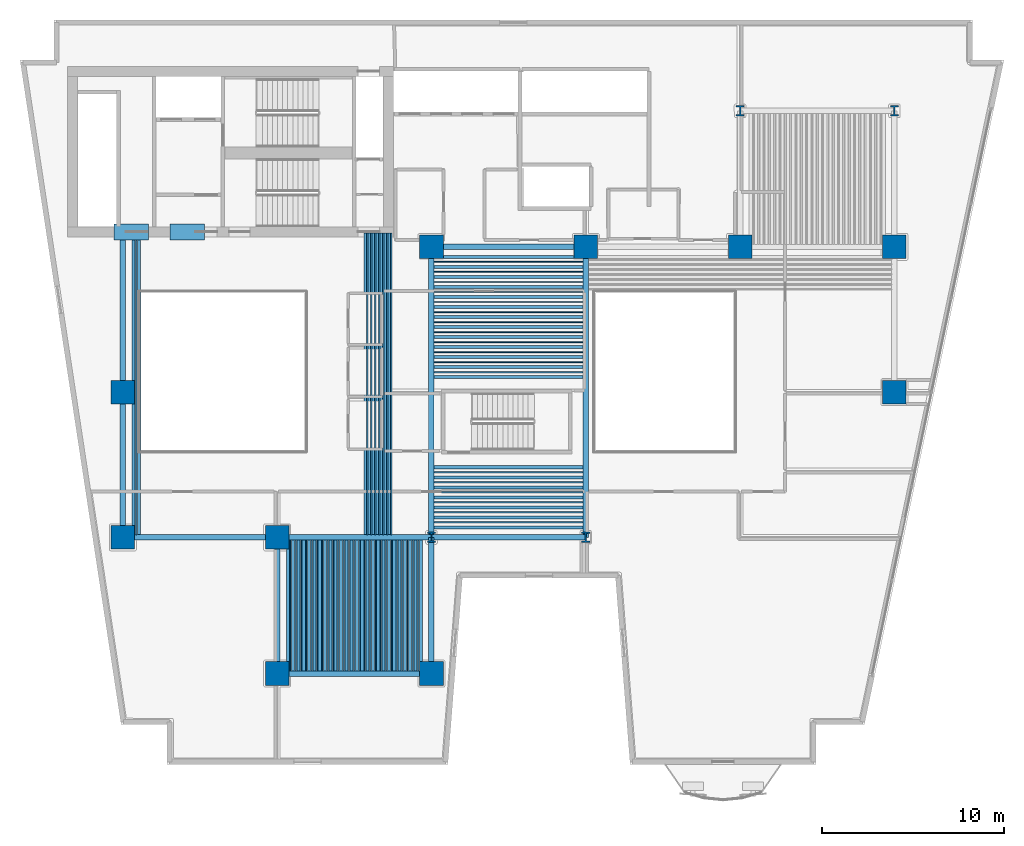
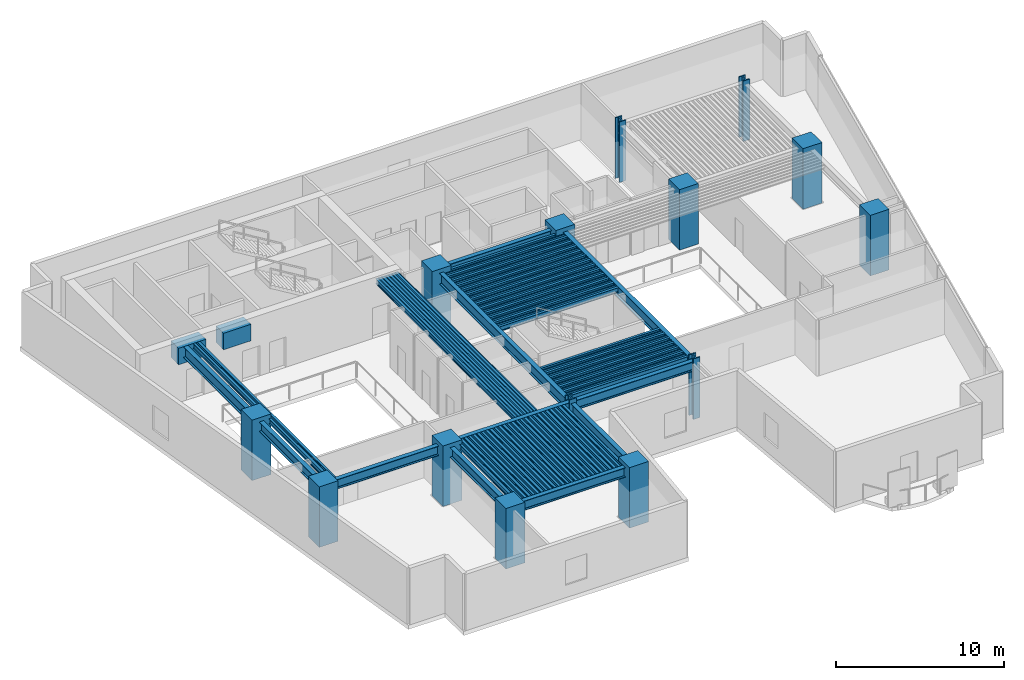
# One storey, part 1 of 12: 119 beams, 14 columns.
"""IFC4 building model written with IfcOpenShell, lengths in metres."""

from ifc_helpers import new_model, si_unit, direction, frame, origin, origin_2d, place, context, subcontext, project, spatial, rectangle, hollow_rectangle, i_section, extrude, material, material_profile, profile_set, type_object, element, save


model = new_model("IFC4")

# Units and contexts
model_context = context("Model", 3, precision=1e-05, world=origin(), true_north=direction((0.0, 1.0)))
body_context = subcontext(model_context, "Body", "Model", "MODEL_VIEW")
ifc_project = project(units=[si_unit("LENGTHUNIT", "METRE"), si_unit("AREAUNIT", "SQUARE_METRE"), si_unit("VOLUMEUNIT", "CUBIC_METRE"), si_unit("PLANEANGLEUNIT", "RADIAN"), si_unit("MASSUNIT", "GRAM", prefix="KILO")], contexts=[model_context])

# Site, building, storey
site_placement = place(None, origin())
site = spatial("IfcSite", under=ifc_project, at=site_placement, CompositionType="ELEMENT")
building_placement = place(site_placement, origin())
building = spatial("IfcBuilding", under=site, at=building_placement, Name="Caeloran Harvest Quay", CompositionType="ELEMENT")
storey_placement = place(building_placement, frame((0.0, 0.0, 35.800048828125)))
storey = spatial("IfcBuildingStorey", under=building, at=storey_placement, Name="L08", CompositionType="ELEMENT", Elevation=35.800048828125)

# Columns
ifc_material_1 = material(Name="Concrete C80/95", Category="concrete")
ifc_material_profile_1 = material_profile(ifc_material_1, rectangle(XDim=1.300048828125, YDim=1.300048828125, at=origin_2d()), Name="RC 1300x1300")
ifc_profile_set_1 = profile_set([ifc_material_profile_1], Name="Concrete C80/95")
column_type_1 = type_object("IfcColumnType", Name="COL-MC-2-RC_1300x1300", PredefinedType="COLUMN", material=ifc_profile_set_1)
for number, where, z_axis, x_axis, name in (
    (1, (8.5, 15.0, 0.0), (0.0, 0.0, 1.0), (1.0, 0.0, 0.0), "L08 Structural Column (8.5, 15.0)"),
    (2, (8.5, 23.0, 0.0), (0.0, 0.0, 1.0), (1.0, 0.0, 0.0), "L08 Structural Column (8.5, 23.0)"),
    (3, (17.0, 7.5, 0.0), (0.0, 0.0, 1.0), (1.0, 0.0, 0.0), "L08 Structural Column (17.0, 7.5)"),
    (4, (17.0, 15.0, 0.0), (0.0, 0.0, 1.0), (1.0, 0.0, 0.0), "L08 Structural Column (17.0, 15.0)"),
    (5, (25.5, 7.5, 0.0), (0.0, 0.0, 1.0), (1.0, 0.0, 0.0), "L08 Structural Column (25.5, 7.5)"),
    (6, (25.5, 31.0, 0.0), (0.0, 0.0, 1.0), (1.0, 0.0, 0.0), "L08 Structural Column (25.5, 31.0)"),
    (7, (34.0, 31.0, 0.0), (0.0, 0.0, 1.0), (1.0, 0.0, 0.0), "L08 Structural Column (34.0, 31.0)"),
    (8, (42.5, 31.0, 0.0), (0.0, 0.0, 1.0), (1.0, 0.0, 0.0), "L08 Structural Column (42.5, 31.0)"),
    (9, (51.0, 23.0, 0.0), (0.0, 0.0, 1.0), (1.0, 0.0, 0.0), "L08 Structural Column (51.0, 23.0)"),
    (10, (51.0, 31.0, 0.0), (0.0, 0.0, 1.0), (1.0, 0.0, 0.0), "L08 Structural Column (51.0, 31.0)"),
):
    element("IfcColumn", number, at=place(storey_placement, frame(where, z_axis=z_axis, x_axis=x_axis)), inside=storey, type_object=column_type_1, Name=name, PredefinedType="COLUMN", context=body_context, shape_type="SweptSolid", body=[
        extrude(rectangle(XDim=1.300048828125, YDim=1.300048828125, at=origin_2d()), origin(), (0.0, 0.0, 1.0), 4.39990234375),
    ])
ifc_material_2 = material(Name="Steel HISTAR 460", Category="steel")
ifc_material_profile_2 = material_profile(ifc_material_2, i_section(OverallWidth=0.4541015625, OverallDepth=0.569091796875, WebThickness=0.077880859375, FlangeThickness=0.080078125, FilletRadius=0.014892578125, at=origin_2d()), Name="HD 400x1086")
ifc_profile_set_2 = profile_set([ifc_material_profile_2], Name="Steel HISTAR 460")
column_type_2 = type_object("IfcColumnType", Name="COL-SC-1-HD_400x1086", PredefinedType="COLUMN", material=ifc_profile_set_2)
for number, where, z_axis, x_axis, name in (
    (11, (25.5, 15.0, 0.0), (0.0, 0.0, 1.0), (1.0, 0.0, 0.0), "L08 Structural Column (25.5, 15.0)"),
    (12, (34.0, 15.0, 0.0), (0.0, 0.0, 1.0), (1.0, 0.0, 0.0), "L08 Structural Column (34.0, 15.0)"),
    (13, (42.5, 38.5, 0.0), (0.0, 0.0, 1.0), (1.0, 0.0, 0.0), "L08 Structural Column (42.5, 38.5)"),
    (14, (51.0, 38.5, 0.0), (0.0, 0.0, 1.0), (1.0, 0.0, 0.0), "L08 Structural Column (51.0, 38.5)"),
):
    element("IfcColumn", number, at=place(storey_placement, frame(where, z_axis=z_axis, x_axis=x_axis)), inside=storey, type_object=column_type_2, Name=name, PredefinedType="COLUMN", context=body_context, shape_type="SweptSolid", body=[
        extrude(i_section(OverallWidth=0.4541015625, OverallDepth=0.569091796875, WebThickness=0.077880859375, FlangeThickness=0.080078125, FilletRadius=0.014892578125, at=origin_2d()), origin(), (0.0, 0.0, 1.0), 4.39990234375),
    ])

# Beams
ifc_material_profile_3 = material_profile(ifc_material_1, rectangle(XDim=0.89990234375, YDim=1.199951171875, at=origin_2d()), Name="RC 900x1200")
ifc_profile_set_3 = profile_set([ifc_material_profile_3], Name="Concrete C80/95")
beam_type_1 = type_object("IfcBeamType", Name="BM-CB-1-RC_900x1200", PredefinedType="LINTEL", material=ifc_profile_set_3)
for number, where, z_axis, x_axis, name in (
    (15, (8.0, 31.824951171875, 3.5), (1.0, 0.0, 0.0), (0.0, 1.0, 0.0), "L08 Core Coupling Beam 1"),
    (16, (11.10009765625, 31.824951171875, 3.5), (1.0, 0.0, 0.0), (0.0, 1.0, 0.0), "L08 Core Coupling Beam 2"),
):
    element("IfcBeam", number, at=place(storey_placement, frame(where, z_axis=z_axis, x_axis=x_axis)), inside=storey, type_object=beam_type_1, Name=name, PredefinedType="LINTEL", context=body_context, shape_type="SweptSolid", body=[
        extrude(rectangle(XDim=0.89990234375, YDim=1.199951171875, at=origin_2d()), origin(), (0.0, 0.0, 1.0), 1.89990234375),
    ])
ifc_material_3 = material(Name="Steel S355J2", Category="steel")
ifc_material_profile_4 = material_profile(ifc_material_3, i_section(OverallWidth=0.300048828125, OverallDepth=0.800048828125, WebThickness=0.017578125, FlangeThickness=0.032958984375, FilletRadius=0.030029296875, at=origin_2d()), Name="HE 800 B")
ifc_profile_set_4 = profile_set([ifc_material_profile_4], Name="Steel S355J2")
beam_type_2 = type_object("IfcBeamType", Name="BM-PG-1-HE_800_B", PredefinedType="BEAM", material=ifc_profile_set_4)
beam_1_placement = place(storey_placement, frame((8.5, 23.0, 3.699951171875), z_axis=(0.0, 1.0, 0.0), x_axis=(-1.0, 0.0, 0.0)))
element("IfcBeam", 17, at=beam_1_placement, inside=storey, type_object=beam_type_2, Name="L08 Core South Tie Girder X=8.5", PredefinedType="BEAM", context=body_context, shape_type="SweptSolid", body=[
    extrude(i_section(OverallWidth=0.300048828125, OverallDepth=0.800048828125, WebThickness=0.017578125, FlangeThickness=0.032958984375, FilletRadius=0.030029296875, at=origin_2d()), origin(), (0.0, 0.0, 1.0), 8.77490234375),
])
for number, where, z_axis, x_axis, name in (
    (18, (25.5, 15.0, 3.699951171875), (0.0, 1.0, 0.0), (-1.0, 0.0, 0.0), "L08 Primary North-South Girder X=25.5"),
    (19, (34.0, 15.0, 3.699951171875), (0.0, 1.0, 0.0), (-1.0, 0.0, 0.0), "L08 Primary North-South Girder X=34.0"),
):
    element("IfcBeam", number, at=place(storey_placement, frame(where, z_axis=z_axis, x_axis=x_axis)), inside=storey, type_object=beam_type_2, Name=name, PredefinedType="BEAM", context=body_context, shape_type="SweptSolid", body=[
        extrude(i_section(OverallWidth=0.300048828125, OverallDepth=0.800048828125, WebThickness=0.017578125, FlangeThickness=0.032958984375, FilletRadius=0.030029296875, at=origin_2d()), origin(), (0.0, 0.0, 1.0), 16.0),
    ])
ifc_material_profile_5 = material_profile(ifc_material_3, i_section(OverallWidth=0.300048828125, OverallDepth=0.699951171875, WebThickness=0.01708984375, FlangeThickness=0.031982421875, FilletRadius=0.027099609375, at=origin_2d()), Name="HE 700 B")
ifc_profile_set_5 = profile_set([ifc_material_profile_5], Name="Steel S355J2")
beam_type_3 = type_object("IfcBeamType", Name="BM-PG-2-HE_700_B", PredefinedType="BEAM", material=ifc_profile_set_5)
for number, where, z_axis, x_axis, name in (
    (20, (17.0, 7.5, 3.75), (1.0, 0.0, 0.0), (0.0, 1.0, 0.0), "L08 Primary East-West Girder Y=7.5"),
    (21, (8.5, 15.0, 3.75), (1.0, 0.0, 0.0), (0.0, 1.0, 0.0), "L08 Primary East-West Girder Y=15.0"),
    (22, (17.0, 15.0, 3.75), (1.0, 0.0, 0.0), (0.0, 1.0, 0.0), "L08 Primary East-West Girder Y=15.0"),
    (23, (25.5, 15.0, 3.75), (1.0, 0.0, 0.0), (0.0, 1.0, 0.0), "L08 Primary East-West Girder Y=15.0"),
    (24, (25.5, 31.0, 3.75), (1.0, 0.0, 0.0), (0.0, 1.0, 0.0), "L08 Primary East-West Girder Y=31.0"),
):
    element("IfcBeam", number, at=place(storey_placement, frame(where, z_axis=z_axis, x_axis=x_axis)), inside=storey, type_object=beam_type_3, Name=name, PredefinedType="BEAM", context=body_context, shape_type="SweptSolid", body=[
        extrude(i_section(OverallWidth=0.300048828125, OverallDepth=0.699951171875, WebThickness=0.01708984375, FlangeThickness=0.031982421875, FilletRadius=0.027099609375, at=origin_2d()), origin(), (0.0, 0.0, 1.0), 8.5),
    ])
beam_2_placement = place(storey_placement, frame((8.5, 15.0, 3.75), z_axis=(0.0, 1.0, 0.0), x_axis=(-1.0, 0.0, 0.0)))
element("IfcBeam", 25, at=beam_2_placement, inside=storey, type_object=beam_type_3, Name="L08 Primary North-South Girder X=8.5", PredefinedType="BEAM", context=body_context, shape_type="SweptSolid", body=[
    extrude(i_section(OverallWidth=0.300048828125, OverallDepth=0.699951171875, WebThickness=0.01708984375, FlangeThickness=0.031982421875, FilletRadius=0.027099609375, at=origin_2d()), origin(), (0.0, 0.0, 1.0), 8.0),
])
for number, where, z_axis, x_axis, name in (
    (26, (17.0, 7.5, 3.75), (0.0, 1.0, 0.0), (-1.0, 0.0, 0.0), "L08 Primary North-South Girder X=17.0"),
    (27, (25.5, 7.5, 3.75), (0.0, 1.0, 0.0), (-1.0, 0.0, 0.0), "L08 Primary North-South Girder X=25.5"),
):
    element("IfcBeam", number, at=place(storey_placement, frame(where, z_axis=z_axis, x_axis=x_axis)), inside=storey, type_object=beam_type_3, Name=name, PredefinedType="BEAM", context=body_context, shape_type="SweptSolid", body=[
        extrude(i_section(OverallWidth=0.300048828125, OverallDepth=0.699951171875, WebThickness=0.01708984375, FlangeThickness=0.031982421875, FilletRadius=0.027099609375, at=origin_2d()), origin(), (0.0, 0.0, 1.0), 7.5),
    ])
ifc_material_profile_6 = material_profile(ifc_material_3, i_section(OverallWidth=0.169921875, OverallDepth=0.360107421875, WebThickness=0.008056640625, FlangeThickness=0.0126953125, FilletRadius=0.01806640625, at=origin_2d()), Name="IPE 360")
ifc_profile_set_6 = profile_set([ifc_material_profile_6], Name="Steel S355J2")
beam_type_4 = type_object("IfcBeamType", Name="BM-SB-5-IPE_360", PredefinedType="JOIST", material=ifc_profile_set_6)
for number, where, z_axis, x_axis, name in (
    (28, (17.586181640625, 7.64501953125, 3.919921875), (0.0, 1.0, 0.0), (-1.0, 0.0, 0.0), "L08 Secondary Composite Joist"),
    (29, (17.87939453125, 7.64501953125, 3.919921875), (0.0, 1.0, 0.0), (-1.0, 0.0, 0.0), "L08 Secondary Composite Joist"),
    (30, (18.17236328125, 7.64501953125, 3.919921875), (0.0, 1.0, 0.0), (-1.0, 0.0, 0.0), "L08 Secondary Composite Joist"),
    (31, (18.465576171875, 7.64501953125, 3.919921875), (0.0, 1.0, 0.0), (-1.0, 0.0, 0.0), "L08 Secondary Composite Joist"),
    (32, (18.758544921875, 7.64501953125, 3.919921875), (0.0, 1.0, 0.0), (-1.0, 0.0, 0.0), "L08 Secondary Composite Joist"),
    (33, (19.0517578125, 7.64501953125, 3.919921875), (0.0, 1.0, 0.0), (-1.0, 0.0, 0.0), "L08 Secondary Composite Joist"),
    (34, (19.3447265625, 7.64501953125, 3.919921875), (0.0, 1.0, 0.0), (-1.0, 0.0, 0.0), "L08 Secondary Composite Joist"),
    (35, (19.637939453125, 7.64501953125, 3.919921875), (0.0, 1.0, 0.0), (-1.0, 0.0, 0.0), "L08 Secondary Composite Joist"),
    (36, (19.930908203125, 7.64501953125, 3.919921875), (0.0, 1.0, 0.0), (-1.0, 0.0, 0.0), "L08 Secondary Composite Joist"),
    (37, (20.22412109375, 7.64501953125, 3.919921875), (0.0, 1.0, 0.0), (-1.0, 0.0, 0.0), "L08 Secondary Composite Joist"),
    (38, (20.51708984375, 7.64501953125, 3.919921875), (0.0, 1.0, 0.0), (-1.0, 0.0, 0.0), "L08 Secondary Composite Joist"),
    (39, (20.810302734375, 7.64501953125, 3.919921875), (0.0, 1.0, 0.0), (-1.0, 0.0, 0.0), "L08 Secondary Composite Joist"),
    (40, (21.103515625, 7.64501953125, 3.919921875), (0.0, 1.0, 0.0), (-1.0, 0.0, 0.0), "L08 Secondary Composite Joist"),
    (41, (21.396484375, 7.64501953125, 3.919921875), (0.0, 1.0, 0.0), (-1.0, 0.0, 0.0), "L08 Secondary Composite Joist"),
    (42, (21.689697265625, 7.64501953125, 3.919921875), (0.0, 1.0, 0.0), (-1.0, 0.0, 0.0), "L08 Secondary Composite Joist"),
    (43, (21.98291015625, 7.64501953125, 3.919921875), (0.0, 1.0, 0.0), (-1.0, 0.0, 0.0), "L08 Secondary Composite Joist"),
    (44, (22.27587890625, 7.64501953125, 3.919921875), (0.0, 1.0, 0.0), (-1.0, 0.0, 0.0), "L08 Secondary Composite Joist"),
    (45, (22.569091796875, 7.64501953125, 3.919921875), (0.0, 1.0, 0.0), (-1.0, 0.0, 0.0), "L08 Secondary Composite Joist"),
    (46, (22.862060546875, 7.64501953125, 3.919921875), (0.0, 1.0, 0.0), (-1.0, 0.0, 0.0), "L08 Secondary Composite Joist"),
    (47, (23.1552734375, 7.64501953125, 3.919921875), (0.0, 1.0, 0.0), (-1.0, 0.0, 0.0), "L08 Secondary Composite Joist"),
    (48, (23.4482421875, 7.64501953125, 3.919921875), (0.0, 1.0, 0.0), (-1.0, 0.0, 0.0), "L08 Secondary Composite Joist"),
    (49, (23.741455078125, 7.64501953125, 3.919921875), (0.0, 1.0, 0.0), (-1.0, 0.0, 0.0), "L08 Secondary Composite Joist"),
    (50, (24.034423828125, 7.64501953125, 3.919921875), (0.0, 1.0, 0.0), (-1.0, 0.0, 0.0), "L08 Secondary Composite Joist"),
    (51, (24.32763671875, 7.64501953125, 3.919921875), (0.0, 1.0, 0.0), (-1.0, 0.0, 0.0), "L08 Secondary Composite Joist"),
    (52, (24.62060546875, 7.64501953125, 3.919921875), (0.0, 1.0, 0.0), (-1.0, 0.0, 0.0), "L08 Secondary Composite Joist"),
    (53, (24.913818359375, 7.64501953125, 3.919921875), (0.0, 1.0, 0.0), (-1.0, 0.0, 0.0), "L08 Secondary Composite Joist"),
):
    element("IfcBeam", number, at=place(storey_placement, frame(where, z_axis=z_axis, x_axis=x_axis)), inside=storey, type_object=beam_type_4, Name=name, PredefinedType="JOIST", context=body_context, shape_type="SweptSolid", body=[
        extrude(i_section(OverallWidth=0.169921875, OverallDepth=0.360107421875, WebThickness=0.008056640625, FlangeThickness=0.0126953125, FilletRadius=0.01806640625, at=origin_2d()), origin(), (0.0, 0.0, 1.0), 7.2099609375),
    ])
for number, where, z_axis, x_axis, name in (
    (54, (9.086181640625, 15.14501953125, 3.919921875), (0.0, 1.0, 0.0), (-1.0, 0.0, 0.0), "L08 Secondary Composite Joist"),
    (55, (9.37939453125, 15.14501953125, 3.919921875), (0.0, 1.0, 0.0), (-1.0, 0.0, 0.0), "L08 Secondary Composite Joist"),
    (56, (21.855224609375, 15.14501953125, 3.919921875), (0.0, 1.0, 0.0), (-1.0, 0.0, 0.0), "L08 Secondary Composite Joist"),
    (57, (22.075927734375, 15.14501953125, 3.919921875), (0.0, 1.0, 0.0), (-1.0, 0.0, 0.0), "L08 Secondary Composite Joist"),
    (58, (22.296630859375, 15.14501953125, 3.919921875), (0.0, 1.0, 0.0), (-1.0, 0.0, 0.0), "L08 Secondary Composite Joist"),
    (59, (22.51708984375, 15.14501953125, 3.919921875), (0.0, 1.0, 0.0), (-1.0, 0.0, 0.0), "L08 Secondary Composite Joist"),
    (60, (22.73779296875, 15.14501953125, 3.919921875), (0.0, 1.0, 0.0), (-1.0, 0.0, 0.0), "L08 Secondary Composite Joist"),
    (61, (22.95849609375, 15.14501953125, 3.919921875), (0.0, 1.0, 0.0), (-1.0, 0.0, 0.0), "L08 Secondary Composite Joist"),
    (62, (23.17919921875, 15.14501953125, 3.919921875), (0.0, 1.0, 0.0), (-1.0, 0.0, 0.0), "L08 Secondary Composite Joist"),
):
    element("IfcBeam", number, at=place(storey_placement, frame(where, z_axis=z_axis, x_axis=x_axis)), inside=storey, type_object=beam_type_4, Name=name, PredefinedType="JOIST", context=body_context, shape_type="SweptSolid", body=[
        extrude(i_section(OverallWidth=0.169921875, OverallDepth=0.360107421875, WebThickness=0.008056640625, FlangeThickness=0.0126953125, FilletRadius=0.01806640625, at=origin_2d()), origin(), (0.0, 0.0, 1.0), 16.6298828125),
    ])
for number, where, z_axis, x_axis, name in (
    (63, (25.64501953125, 15.5517578125, 3.919921875), (1.0, 0.0, 0.0), (0.0, 1.0, 0.0), "L08 Secondary East-West Composite Joist"),
    (64, (25.64501953125, 16.103515625, 3.919921875), (1.0, 0.0, 0.0), (0.0, 1.0, 0.0), "L08 Secondary East-West Composite Joist"),
    (65, (25.64501953125, 16.6552734375, 3.919921875), (1.0, 0.0, 0.0), (0.0, 1.0, 0.0), "L08 Secondary East-West Composite Joist"),
    (66, (25.64501953125, 17.206787109375, 3.919921875), (1.0, 0.0, 0.0), (0.0, 1.0, 0.0), "L08 Secondary East-West Composite Joist"),
    (67, (25.64501953125, 17.758544921875, 3.919921875), (1.0, 0.0, 0.0), (0.0, 1.0, 0.0), "L08 Secondary East-West Composite Joist"),
    (68, (25.64501953125, 18.310302734375, 3.919921875), (1.0, 0.0, 0.0), (0.0, 1.0, 0.0), "L08 Secondary East-West Composite Joist"),
    (69, (25.64501953125, 18.862060546875, 3.919921875), (1.0, 0.0, 0.0), (0.0, 1.0, 0.0), "L08 Secondary East-West Composite Joist"),
    (70, (25.64501953125, 23.82763671875, 3.919921875), (1.0, 0.0, 0.0), (0.0, 1.0, 0.0), "L08 Secondary East-West Composite Joist"),
    (71, (25.64501953125, 24.37939453125, 3.919921875), (1.0, 0.0, 0.0), (0.0, 1.0, 0.0), "L08 Secondary East-West Composite Joist"),
    (72, (25.64501953125, 24.930908203125, 3.919921875), (1.0, 0.0, 0.0), (0.0, 1.0, 0.0), "L08 Secondary East-West Composite Joist"),
    (73, (25.64501953125, 25.48291015625, 3.919921875), (1.0, 0.0, 0.0), (0.0, 1.0, 0.0), "L08 Secondary East-West Composite Joist"),
    (74, (25.64501953125, 26.034423828125, 3.919921875), (1.0, 0.0, 0.0), (0.0, 1.0, 0.0), "L08 Secondary East-West Composite Joist"),
    (75, (25.64501953125, 26.586181640625, 3.919921875), (1.0, 0.0, 0.0), (0.0, 1.0, 0.0), "L08 Secondary East-West Composite Joist"),
    (76, (25.64501953125, 27.137939453125, 3.919921875), (1.0, 0.0, 0.0), (0.0, 1.0, 0.0), "L08 Secondary East-West Composite Joist"),
    (77, (25.64501953125, 27.689697265625, 3.919921875), (1.0, 0.0, 0.0), (0.0, 1.0, 0.0), "L08 Secondary East-West Composite Joist"),
    (78, (25.64501953125, 28.241455078125, 3.919921875), (1.0, 0.0, 0.0), (0.0, 1.0, 0.0), "L08 Secondary East-West Composite Joist"),
    (79, (25.64501953125, 28.793212890625, 3.919921875), (1.0, 0.0, 0.0), (0.0, 1.0, 0.0), "L08 Secondary East-West Composite Joist"),
    (80, (25.64501953125, 29.3447265625, 3.919921875), (1.0, 0.0, 0.0), (0.0, 1.0, 0.0), "L08 Secondary East-West Composite Joist"),
    (81, (25.64501953125, 29.896484375, 3.919921875), (1.0, 0.0, 0.0), (0.0, 1.0, 0.0), "L08 Secondary East-West Composite Joist"),
    (82, (25.64501953125, 30.4482421875, 3.919921875), (1.0, 0.0, 0.0), (0.0, 1.0, 0.0), "L08 Secondary East-West Composite Joist"),
):
    element("IfcBeam", number, at=place(storey_placement, frame(where, z_axis=z_axis, x_axis=x_axis)), inside=storey, type_object=beam_type_4, Name=name, PredefinedType="JOIST", context=body_context, shape_type="SweptSolid", body=[
        extrude(i_section(OverallWidth=0.169921875, OverallDepth=0.360107421875, WebThickness=0.008056640625, FlangeThickness=0.0126953125, FilletRadius=0.01806640625, at=origin_2d()), origin(), (0.0, 0.0, 1.0), 8.2099609375),
    ])
ifc_material_profile_7 = material_profile(ifc_material_3, hollow_rectangle(XDim=0.080078125, YDim=0.199951171875, WallThickness=0.006103515625, InnerFilletRadius=0.006103515625, OuterFilletRadius=0.009033203125, at=origin_2d()), Name="RHS 200x80x6")
ifc_profile_set_7 = profile_set([ifc_material_profile_7], Name="Steel S355J2")
beam_type_5 = type_object("IfcBeamType", Name="BM-SB-7-RHS_200x80x6", PredefinedType="JOIST", material=ifc_profile_set_7)
for number, where, z_axis, x_axis, name in (
    (83, (17.73291015625, 7.64501953125, 4.0), (0.0, 1.0, 0.0), (-1.0, 0.0, 0.0), "L08 Secondary Composite Joist"),
    (84, (18.02587890625, 7.64501953125, 4.0), (0.0, 1.0, 0.0), (-1.0, 0.0, 0.0), "L08 Secondary Composite Joist"),
    (85, (18.319091796875, 7.64501953125, 4.0), (0.0, 1.0, 0.0), (-1.0, 0.0, 0.0), "L08 Secondary Composite Joist"),
    (86, (18.612060546875, 7.64501953125, 4.0), (0.0, 1.0, 0.0), (-1.0, 0.0, 0.0), "L08 Secondary Composite Joist"),
    (87, (18.9052734375, 7.64501953125, 4.0), (0.0, 1.0, 0.0), (-1.0, 0.0, 0.0), "L08 Secondary Composite Joist"),
    (88, (19.1982421875, 7.64501953125, 4.0), (0.0, 1.0, 0.0), (-1.0, 0.0, 0.0), "L08 Secondary Composite Joist"),
    (89, (19.491455078125, 7.64501953125, 4.0), (0.0, 1.0, 0.0), (-1.0, 0.0, 0.0), "L08 Secondary Composite Joist"),
    (90, (19.784423828125, 7.64501953125, 4.0), (0.0, 1.0, 0.0), (-1.0, 0.0, 0.0), "L08 Secondary Composite Joist"),
    (91, (20.07763671875, 7.64501953125, 4.0), (0.0, 1.0, 0.0), (-1.0, 0.0, 0.0), "L08 Secondary Composite Joist"),
    (92, (20.37060546875, 7.64501953125, 4.0), (0.0, 1.0, 0.0), (-1.0, 0.0, 0.0), "L08 Secondary Composite Joist"),
    (93, (20.663818359375, 7.64501953125, 4.0), (0.0, 1.0, 0.0), (-1.0, 0.0, 0.0), "L08 Secondary Composite Joist"),
    (94, (20.956787109375, 7.64501953125, 4.0), (0.0, 1.0, 0.0), (-1.0, 0.0, 0.0), "L08 Secondary Composite Joist"),
    (95, (21.25, 7.64501953125, 4.0), (0.0, 1.0, 0.0), (-1.0, 0.0, 0.0), "L08 Secondary Composite Joist"),
    (96, (21.543212890625, 7.64501953125, 4.0), (0.0, 1.0, 0.0), (-1.0, 0.0, 0.0), "L08 Secondary Composite Joist"),
    (97, (21.836181640625, 7.64501953125, 4.0), (0.0, 1.0, 0.0), (-1.0, 0.0, 0.0), "L08 Secondary Composite Joist"),
    (98, (22.12939453125, 7.64501953125, 4.0), (0.0, 1.0, 0.0), (-1.0, 0.0, 0.0), "L08 Secondary Composite Joist"),
    (99, (22.42236328125, 7.64501953125, 4.0), (0.0, 1.0, 0.0), (-1.0, 0.0, 0.0), "L08 Secondary Composite Joist"),
    (100, (22.715576171875, 7.64501953125, 4.0), (0.0, 1.0, 0.0), (-1.0, 0.0, 0.0), "L08 Secondary Composite Joist"),
    (101, (23.008544921875, 7.64501953125, 4.0), (0.0, 1.0, 0.0), (-1.0, 0.0, 0.0), "L08 Secondary Composite Joist"),
    (102, (23.3017578125, 7.64501953125, 4.0), (0.0, 1.0, 0.0), (-1.0, 0.0, 0.0), "L08 Secondary Composite Joist"),
    (103, (23.5947265625, 7.64501953125, 4.0), (0.0, 1.0, 0.0), (-1.0, 0.0, 0.0), "L08 Secondary Composite Joist"),
    (104, (23.887939453125, 7.64501953125, 4.0), (0.0, 1.0, 0.0), (-1.0, 0.0, 0.0), "L08 Secondary Composite Joist"),
    (105, (24.180908203125, 7.64501953125, 4.0), (0.0, 1.0, 0.0), (-1.0, 0.0, 0.0), "L08 Secondary Composite Joist"),
    (106, (24.47412109375, 7.64501953125, 4.0), (0.0, 1.0, 0.0), (-1.0, 0.0, 0.0), "L08 Secondary Composite Joist"),
    (107, (24.76708984375, 7.64501953125, 4.0), (0.0, 1.0, 0.0), (-1.0, 0.0, 0.0), "L08 Secondary Composite Joist"),
):
    element("IfcBeam", number, at=place(storey_placement, frame(where, z_axis=z_axis, x_axis=x_axis)), inside=storey, type_object=beam_type_5, Name=name, PredefinedType="JOIST", context=body_context, shape_type="SweptSolid", body=[
        extrude(hollow_rectangle(XDim=0.080078125, YDim=0.199951171875, WallThickness=0.006103515625, InnerFilletRadius=0.006103515625, OuterFilletRadius=0.009033203125, at=origin_2d()), origin(), (0.0, 0.0, 1.0), 7.2099609375),
    ])
for number, where, z_axis, x_axis, name in (
    (108, (9.23291015625, 15.14501953125, 4.0), (0.0, 1.0, 0.0), (-1.0, 0.0, 0.0), "L08 Secondary Composite Joist"),
    (109, (21.965576171875, 15.14501953125, 4.0), (0.0, 1.0, 0.0), (-1.0, 0.0, 0.0), "L08 Secondary Composite Joist"),
    (110, (22.186279296875, 15.14501953125, 4.0), (0.0, 1.0, 0.0), (-1.0, 0.0, 0.0), "L08 Secondary Composite Joist"),
    (111, (22.406982421875, 15.14501953125, 4.0), (0.0, 1.0, 0.0), (-1.0, 0.0, 0.0), "L08 Secondary Composite Joist"),
    (112, (22.627685546875, 15.14501953125, 4.0), (0.0, 1.0, 0.0), (-1.0, 0.0, 0.0), "L08 Secondary Composite Joist"),
    (113, (22.848388671875, 15.14501953125, 4.0), (0.0, 1.0, 0.0), (-1.0, 0.0, 0.0), "L08 Secondary Composite Joist"),
    (114, (23.069091796875, 15.14501953125, 4.0), (0.0, 1.0, 0.0), (-1.0, 0.0, 0.0), "L08 Secondary Composite Joist"),
    (115, (23.289794921875, 15.14501953125, 4.0), (0.0, 1.0, 0.0), (-1.0, 0.0, 0.0), "L08 Secondary Composite Joist"),
):
    element("IfcBeam", number, at=place(storey_placement, frame(where, z_axis=z_axis, x_axis=x_axis)), inside=storey, type_object=beam_type_5, Name=name, PredefinedType="JOIST", context=body_context, shape_type="SweptSolid", body=[
        extrude(hollow_rectangle(XDim=0.080078125, YDim=0.199951171875, WallThickness=0.006103515625, InnerFilletRadius=0.006103515625, OuterFilletRadius=0.009033203125, at=origin_2d()), origin(), (0.0, 0.0, 1.0), 16.6298828125),
    ])
for number, where, z_axis, x_axis, name in (
    (116, (25.64501953125, 15.82763671875, 4.0), (1.0, 0.0, 0.0), (0.0, 1.0, 0.0), "L08 Secondary East-West Composite Joist"),
    (117, (25.64501953125, 16.37939453125, 4.0), (1.0, 0.0, 0.0), (0.0, 1.0, 0.0), "L08 Secondary East-West Composite Joist"),
    (118, (25.64501953125, 16.930908203125, 4.0), (1.0, 0.0, 0.0), (0.0, 1.0, 0.0), "L08 Secondary East-West Composite Joist"),
    (119, (25.64501953125, 17.48291015625, 4.0), (1.0, 0.0, 0.0), (0.0, 1.0, 0.0), "L08 Secondary East-West Composite Joist"),
    (120, (25.64501953125, 18.034423828125, 4.0), (1.0, 0.0, 0.0), (0.0, 1.0, 0.0), "L08 Secondary East-West Composite Joist"),
    (121, (25.64501953125, 18.586181640625, 4.0), (1.0, 0.0, 0.0), (0.0, 1.0, 0.0), "L08 Secondary East-West Composite Joist"),
    (122, (25.64501953125, 24.103515625, 4.0), (1.0, 0.0, 0.0), (0.0, 1.0, 0.0), "L08 Secondary East-West Composite Joist"),
    (123, (25.64501953125, 24.6552734375, 4.0), (1.0, 0.0, 0.0), (0.0, 1.0, 0.0), "L08 Secondary East-West Composite Joist"),
    (124, (25.64501953125, 25.206787109375, 4.0), (1.0, 0.0, 0.0), (0.0, 1.0, 0.0), "L08 Secondary East-West Composite Joist"),
    (125, (25.64501953125, 25.758544921875, 4.0), (1.0, 0.0, 0.0), (0.0, 1.0, 0.0), "L08 Secondary East-West Composite Joist"),
    (126, (25.64501953125, 26.310302734375, 4.0), (1.0, 0.0, 0.0), (0.0, 1.0, 0.0), "L08 Secondary East-West Composite Joist"),
    (127, (25.64501953125, 26.862060546875, 4.0), (1.0, 0.0, 0.0), (0.0, 1.0, 0.0), "L08 Secondary East-West Composite Joist"),
    (128, (25.64501953125, 27.413818359375, 4.0), (1.0, 0.0, 0.0), (0.0, 1.0, 0.0), "L08 Secondary East-West Composite Joist"),
    (129, (25.64501953125, 27.965576171875, 4.0), (1.0, 0.0, 0.0), (0.0, 1.0, 0.0), "L08 Secondary East-West Composite Joist"),
    (130, (25.64501953125, 28.51708984375, 4.0), (1.0, 0.0, 0.0), (0.0, 1.0, 0.0), "L08 Secondary East-West Composite Joist"),
    (131, (25.64501953125, 29.069091796875, 4.0), (1.0, 0.0, 0.0), (0.0, 1.0, 0.0), "L08 Secondary East-West Composite Joist"),
    (132, (25.64501953125, 29.62060546875, 4.0), (1.0, 0.0, 0.0), (0.0, 1.0, 0.0), "L08 Secondary East-West Composite Joist"),
    (133, (25.64501953125, 30.17236328125, 4.0), (1.0, 0.0, 0.0), (0.0, 1.0, 0.0), "L08 Secondary East-West Composite Joist"),
):
    element("IfcBeam", number, at=place(storey_placement, frame(where, z_axis=z_axis, x_axis=x_axis)), inside=storey, type_object=beam_type_5, Name=name, PredefinedType="JOIST", context=body_context, shape_type="SweptSolid", body=[
        extrude(hollow_rectangle(XDim=0.080078125, YDim=0.199951171875, WallThickness=0.006103515625, InnerFilletRadius=0.006103515625, OuterFilletRadius=0.009033203125, at=origin_2d()), origin(), (0.0, 0.0, 1.0), 8.2099609375),
    ])

save(model, "model.ifc")
